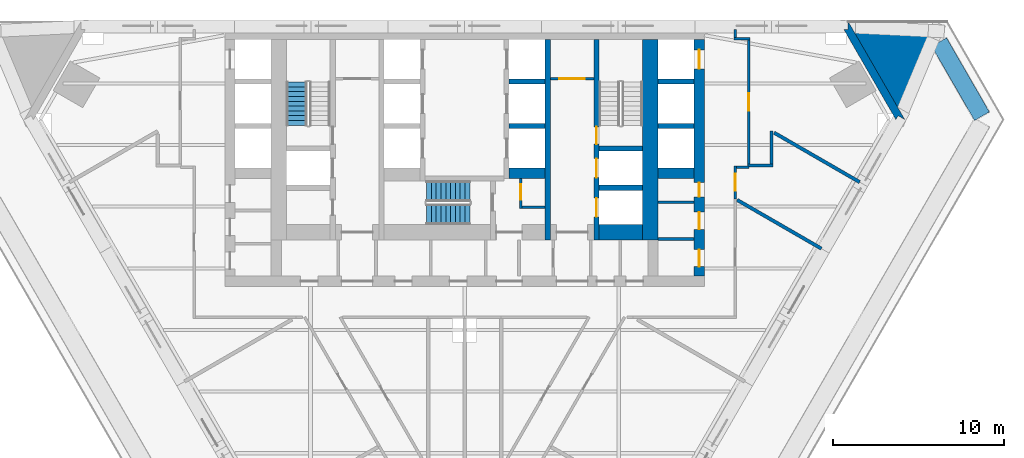
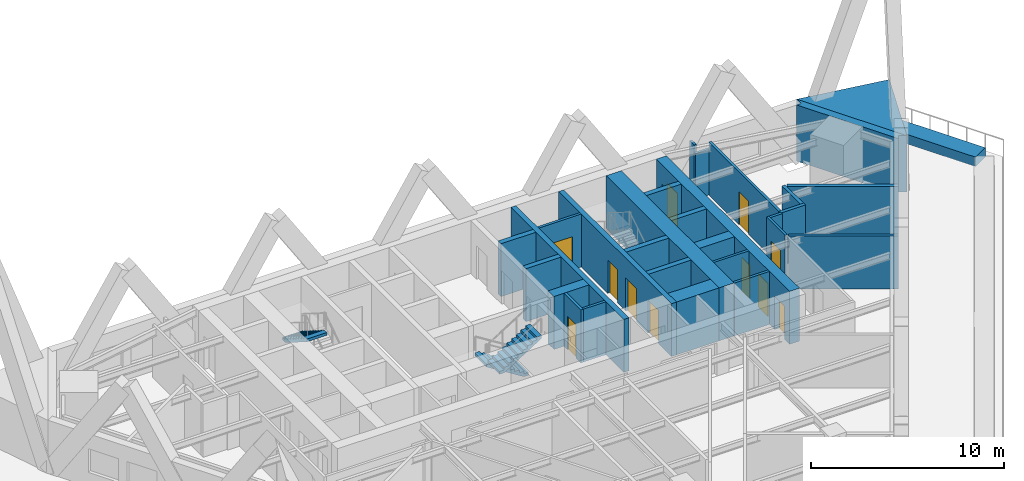
# One storey, part 7 of 11: 30 walls, 11 doors, 3 stair flights, 11 openings, 2 elements without a shape of their own.
"""IFC4 building model written with IfcOpenShell, lengths in metres."""

import ifcopenshell
import ifcopenshell.guid

model = None  # the IFC model being written
_history = None  # IfcOwnerHistory: only IFC2X3 demands one
_inside = {}  # id of a spatial element -> (the spatial element, [elements in it])
_under = {}  # id of a project, library or spatial element -> (it, [spatial elements below it])
_declared = {}  # id of a project -> (the project, [libraries it declares])
_typed = {}  # id of a type object -> (the type object, [elements of that type])
_made_of = {}  # id of a material, layer set ... -> (it, [elements and type objects made of it])


def new_model(schema):
    """Start an empty IFC model of exactly this schema.

    Asked for "IFC4X3", IfcOpenShell would pick the latest addendum, in which some entities
    have other attributes; the version numbers below select the first issue.
    IFC2X3 requires an IfcOwnerHistory on every rooted entity: one is made here for all.
    """
    global model, _history
    if schema == "IFC4X3":
        model = ifcopenshell.file(schema_version=(4, 3, 0, 0))
    else:
        model = ifcopenshell.file(schema=schema)
    _inside.clear()
    _under.clear()
    _declared.clear()
    _typed.clear()
    _made_of.clear()
    _history = None
    if model.schema == "IFC2X3":
        org = make("IfcOrganization", Name="unknown")
        user = make(
            "IfcPersonAndOrganization",
            ThePerson=make("IfcPerson", FamilyName="unknown"),
            TheOrganization=org,
        )
        app = make(
            "IfcApplication",
            ApplicationDeveloper=org,
            Version="unknown",
            ApplicationFullName="unknown",
            ApplicationIdentifier="unknown",
        )
        _history = make(
            "IfcOwnerHistory",
            OwningUser=user,
            OwningApplication=app,
            ChangeAction="ADDED",
            CreationDate=0,
        )
    return model


def make(cls, **values):
    """One entity of the class cls with the attributes given. An attribute that is None is left unset."""
    return model.create_entity(
        cls, **{name: value for name, value in values.items() if value is not None}
    )


def rooted(cls, **values):
    """An entity with a GlobalId (a new one), such as an element, a storey or a relation."""
    return make(cls, GlobalId=ifcopenshell.guid.new(), OwnerHistory=_history, **values)


def si_unit(unit_type, name, prefix=None):
    """IfcSIUnit, for example si_unit("LENGTHUNIT", "METRE", prefix="MILLI")."""
    return make("IfcSIUnit", UnitType=unit_type, Prefix=prefix, Name=name)


def assignment(units):
    """IfcUnitAssignment: the units of a project."""
    return None if units is None else make("IfcUnitAssignment", Units=units)


def point(xyz):
    """IfcCartesianPoint."""
    return None if xyz is None else make("IfcCartesianPoint", Coordinates=xyz)


def direction(xyz):
    """IfcDirection."""
    return None if xyz is None else make("IfcDirection", DirectionRatios=xyz)


def frame(location, z_axis=None, x_axis=None):
    """IfcAxis2Placement3D, a coordinate frame: its origin and axes. An axis left out is left unset."""
    return make(
        "IfcAxis2Placement3D",
        Location=point(location),
        Axis=direction(z_axis),
        RefDirection=direction(x_axis),
    )


def frame_2d(location, x_axis=None):
    """IfcAxis2Placement2D, a coordinate frame in the plane: its origin and x axis."""
    return make(
        "IfcAxis2Placement2D", Location=point(location), RefDirection=direction(x_axis)
    )


def origin():
    """The frame at (0, 0, 0) with its axes left unset."""
    return frame((0.0, 0.0, 0.0))


def place(relative_to, where):
    """IfcLocalPlacement: puts the frame where relative to a parent placement (None: the world)."""
    return make(
        "IfcLocalPlacement", PlacementRelTo=relative_to, RelativePlacement=where
    )


def context(
    kind, dimensions, precision=None, world=None, true_north=None, identifier=None
):
    """IfcGeometricRepresentationContext, for example the 3D "Model" context."""
    return make(
        "IfcGeometricRepresentationContext",
        ContextIdentifier=identifier,
        ContextType=kind,
        CoordinateSpaceDimension=dimensions,
        Precision=precision,
        WorldCoordinateSystem=world,
        TrueNorth=true_north,
    )


def subcontext(parent, identifier, kind, view, scale=None):
    """IfcGeometricRepresentationSubContext, for example "Body" below "Model"."""
    return make(
        "IfcGeometricRepresentationSubContext",
        ContextIdentifier=identifier,
        ContextType=kind,
        ParentContext=parent,
        TargetScale=scale,
        TargetView=view,
    )


def project(units=None, contexts=None):
    """IfcProject with its units and contexts."""
    return rooted(
        "IfcProject",
        Name="project",
        RepresentationContexts=contexts,
        UnitsInContext=assignment(units),
    )


def spatial(cls, under=None, at=None, **own):
    """A site, building, storey or space (cls), placed at a placement, below another one or the project."""
    s = rooted(cls, ObjectPlacement=at, **own)
    if under is not None:
        _under.setdefault(under.id(), (under, []))[1].append(s)
    return s


def polyline(points):
    """IfcPolyline through the points."""
    return make("IfcPolyline", Points=[point(p) for p in points])


def profile(cls, at=None, kind="AREA", **sizes):
    """A parametric profile (cls). Its sizes go by their IFC names, for example OverallWidth=200.0."""
    return make(cls, ProfileType=kind, Position=at, **sizes)


def rectangle(**sizes):
    """IfcRectangleProfileDef."""
    return profile("IfcRectangleProfileDef", **sizes)


def outline(outer, holes=None, kind="AREA"):
    """IfcArbitraryClosedProfileDef: a profile drawn as a closed curve; with holes, ...WithVoids."""
    if holes is None:
        return make("IfcArbitraryClosedProfileDef", ProfileType=kind, OuterCurve=outer)
    return make(
        "IfcArbitraryProfileDefWithVoids",
        ProfileType=kind,
        OuterCurve=outer,
        InnerCurves=holes,
    )


def extrude(swept, where, along, depth):
    """IfcExtrudedAreaSolid: the profile swept, set in the frame where, extruded along a direction by depth."""
    return make(
        "IfcExtrudedAreaSolid",
        SweptArea=swept,
        Position=where,
        ExtrudedDirection=direction(along),
        Depth=depth,
    )


def shape(context_of_items, identifier, shape_type, items):
    """IfcShapeRepresentation: the items that make up one representation, for example the "Body"."""
    return make(
        "IfcShapeRepresentation",
        ContextOfItems=context_of_items,
        RepresentationIdentifier=identifier,
        RepresentationType=shape_type,
        Items=items,
    )


def material(Name=None, Category=None):
    """IfcMaterial."""
    return make("IfcMaterial", Name=Name, Category=Category)


def layer(
    of_material, thickness, ventilated=None, Name=None, Category=None, Priority=None
):
    """IfcMaterialLayer: one layer of a wall or slab, of a material (None: an air gap)."""
    return make(
        "IfcMaterialLayer",
        Material=of_material,
        LayerThickness=thickness,
        IsVentilated=ventilated,
        Name=Name,
        Category=Category,
        Priority=Priority,
    )


def layer_set(layers, Name=None):
    """IfcMaterialLayerSet."""
    return make("IfcMaterialLayerSet", MaterialLayers=layers, LayerSetName=Name)


def made_of(thing, what):
    """Note that an element or type object is made of a material, layer set ...; save() writes the relation."""
    if what is not None:
        _made_of.setdefault(what.id(), (what, []))[1].append(thing)
    return thing


def type_object(cls, material=None, **own):
    """A type object (cls), such as IfcWallType, which elements share."""
    return made_of(rooted(cls, **own), material)


def element(
    cls,
    number,
    at=None,
    inside=None,
    cuts=None,
    type_object=None,
    material=None,
    context=None,
    identifier="Body",
    shape_type=None,
    held_by="IfcProductDefinitionShape",
    body=None,
    shapes=None,
    **own,
):
    """One element of the class cls, such as IfcWall. Its Tag is "e" and its number.

    at: its placement. inside: the storey or other place that contains it. cuts: it is an
    opening in that element (IfcRelVoidsElement). A single representation is given by context,
    identifier, shape_type and body (its items); several are given by shapes. held_by: the class
    of the entity that holds the representations. save() writes the other relations.
    """
    e = rooted(cls, Tag="e%d" % number, ObjectPlacement=at, **own)
    if body is not None:
        shapes = [shape(context, identifier, shape_type, body)]
    if shapes is not None:
        e.Representation = make(held_by, Representations=shapes)
    if inside is not None:
        _inside.setdefault(inside.id(), (inside, []))[1].append(e)
    if cuts is not None:
        rooted(
            "IfcRelVoidsElement", RelatingBuildingElement=cuts, RelatedOpeningElement=e
        )
    if type_object is not None:
        _typed.setdefault(type_object.id(), (type_object, []))[1].append(e)
    return made_of(e, material)


def fill(opening, filler):
    """IfcRelFillsElement: the door or window that sits in an opening."""
    return rooted(
        "IfcRelFillsElement",
        RelatingOpeningElement=opening,
        RelatedBuildingElement=filler,
    )


def aggregate(whole, parts):
    """IfcRelAggregates: a whole, such as a stair, and the parts it consists of."""
    return rooted("IfcRelAggregates", RelatingObject=whole, RelatedObjects=parts)


def save(model, path):
    """Write the relations noted so far, then the file.

    IfcRelAggregates (storeys below a building ...), IfcRelContainedInSpatialStructure (elements
    in a storey), IfcRelDefinesByType, IfcRelAssociatesMaterial and IfcRelDeclares: one each for
    every whole, place, type object, material and project.
    """
    for whole, parts in _under.values():
        aggregate(whole, parts)
    for where, things in _inside.values():
        rooted(
            "IfcRelContainedInSpatialStructure",
            RelatedElements=things,
            RelatingStructure=where,
        )
    for kind, things in _typed.values():
        rooted("IfcRelDefinesByType", RelatedObjects=things, RelatingType=kind)
    for what, things in _made_of.values():
        rooted("IfcRelAssociatesMaterial", RelatedObjects=things, RelatingMaterial=what)
    for by, libraries in _declared.values():
        rooted("IfcRelDeclares", RelatingContext=by, RelatedDefinitions=libraries)
    model.write(path)


model = new_model("IFC4")

# Units and contexts
model_context = context("Model", 3, precision=1e-05, world=origin(), true_north=direction((0.0, 1.0)))
body_context = subcontext(model_context, "Body", "Model", "MODEL_VIEW")
ifc_project = project(units=[si_unit("LENGTHUNIT", "METRE"), si_unit("AREAUNIT", "SQUARE_METRE"), si_unit("VOLUMEUNIT", "CUBIC_METRE"), si_unit("PLANEANGLEUNIT", "RADIAN"), si_unit("MASSUNIT", "GRAM", prefix="KILO")], contexts=[model_context])

# Site, building, storey
site_placement = place(None, origin())
site = spatial("IfcSite", under=ifc_project, at=site_placement, CompositionType="ELEMENT")
building_placement = place(site_placement, origin())
building = spatial("IfcBuilding", under=site, at=building_placement, Name="Aloe Facet Convention Tower", CompositionType="ELEMENT")
storey_placement = place(building_placement, frame((0.0, 0.0, 35.0)))
storey = spatial("IfcBuildingStorey", under=building, at=storey_placement, Name="L06", CompositionType="ELEMENT", Elevation=35.0)

# Wall, opening, door
ifc_material_1 = material(Name="Concrete blockwork partition", Category="masonry")
ifc_layer_1 = layer(ifc_material_1, 0.14990234375)
ifc_layer_set_1 = layer_set([ifc_layer_1], Name="CR-W-PART150")
wall_type_1 = type_object("IfcWallType", Name="CR-W-PART150", PredefinedType="PARTITIONING", material=ifc_layer_set_1)
wall_1_placement = place(storey_placement, frame((83.27490234375, 125.85009765625, 0.0), z_axis=(0.0, 0.0, 1.0), x_axis=(0.0, -1.0, 0.0)))
wall_1 = element("IfcWall", 1, at=wall_1_placement, inside=storey, type_object=wall_type_1, Name="Core partition L06-035", PredefinedType="PARTITIONING", context=body_context, shape_type="SweptSolid", body=[
    extrude(rectangle(XDim=1.75, YDim=0.14990234375, at=frame_2d((0.875, 0.0))), origin(), (0.0, 0.0, 1.0), 3.35009765625),
])
opening_1_placement = place(wall_1_placement, frame((0.35009765625, 0.0, 0.0)))
opening_1 = element("IfcOpeningElement", 2, at=opening_1_placement, cuts=wall_1, Name="Opening L06-CD20", PredefinedType="OPENING", context=body_context, shape_type="SweptSolid", body=[
    extrude(rectangle(XDim=0.89990234375, YDim=2.10009765625, at=frame_2d((0.449951171875, 1.050048828125))), frame((0.0, 0.0849609375, 0.0), z_axis=(0.0, -1.0, 0.0), x_axis=(1.0, 0.0, 0.0)), (0.0, 0.0, 1.0), 0.169921875),
])
ifc_material_2 = material(Name="Steel fire-resisting door set FD60", Category="steel")
door_type_1 = type_object("IfcDoorType", Name="CR-D-REFUGE-900-FD60-SRIGHT", OperationType="SINGLE_SWING_RIGHT", PredefinedType="DOOR", material=ifc_material_2)
door_1_placement = place(opening_1_placement, origin())
door_1 = element("IfcDoor", 3, at=door_1_placement, inside=storey, type_object=door_type_1, Name="Core door L06-CD20", OperationType="SINGLE_SWING_RIGHT", OverallHeight=2.10009765625, OverallWidth=0.89990234375, PredefinedType="DOOR", context=body_context, shape_type="SweptSolid", body=[
    extrude(rectangle(XDim=0.89990234375, YDim=2.10009765625, at=frame_2d((0.449951171875, 1.050048828125))), frame((0.0, 0.02490234375, 0.0), z_axis=(0.0, -1.0, 0.0), x_axis=(1.0, 0.0, 0.0)), (0.0, 0.0, 1.0), 0.050048828125),
])
fill(opening_1, door_1)

# Wall
wall_2_placement = place(storey_placement, frame((83.35009765625, 124.175048828125, 0.0), z_axis=(0.0, 0.0, 1.0), x_axis=(1.0, 0.0, 0.0)))
element("IfcWall", 4, at=wall_2_placement, inside=storey, type_object=wall_type_1, Name="Core partition L06-036", PredefinedType="PARTITIONING", context=body_context, shape_type="SweptSolid", body=[
    extrude(rectangle(XDim=1.349853515625, YDim=0.14990234375, at=frame_2d((0.6748046875, 0.0))), origin(), (0.0, 0.0, 1.0), 3.35009765625),
])

# Wall, opening, door
wall_3_placement = place(storey_placement, frame((85.0, 131.675048828125, 0.0), z_axis=(0.0, 0.0, 1.0), x_axis=(1.0, 0.0, 0.0)))
wall_3 = element("IfcWall", 5, at=wall_3_placement, inside=storey, type_object=wall_type_1, Name="Core partition L06-038", PredefinedType="PARTITIONING", context=body_context, shape_type="SweptSolid", body=[
    extrude(rectangle(XDim=2.550048828125, YDim=0.14990234375, at=frame_2d((1.27490234375, 0.0))), origin(), (0.0, 0.0, 1.0), 3.35009765625),
])
opening_2_placement = place(wall_3_placement, frame((0.52490234375, 0.0, 0.0)))
opening_2 = element("IfcOpeningElement", 6, at=opening_2_placement, cuts=wall_3, Name="Opening L06-CD21", PredefinedType="OPENING", context=body_context, shape_type="SweptSolid", body=[
    extrude(rectangle(XDim=1.5, YDim=2.10009765625, at=frame_2d((0.75, 1.050048828125))), frame((0.0, 0.0849609375, 0.0), z_axis=(0.0, -1.0, 0.0), x_axis=(1.0, 0.0, 0.0)), (0.0, 0.0, 1.0), 0.169921875),
])
ifc_material_3 = material(Name="Steel fire-resisting door set FD60", Category="steel")
door_type_2 = type_object("IfcDoorType", Name="CR-D-REFUGE-1500-FD60-DD", OperationType="DOUBLE_DOOR_DOUBLE_SWING", PredefinedType="DOOR", material=ifc_material_3)
door_2_placement = place(opening_2_placement, origin())
door_2 = element("IfcDoor", 7, at=door_2_placement, inside=storey, type_object=door_type_2, Name="Core door L06-CD21", OperationType="DOUBLE_DOOR_DOUBLE_SWING", OverallHeight=2.10009765625, OverallWidth=1.5, PredefinedType="DOOR", context=body_context, shape_type="SweptSolid", body=[
    extrude(rectangle(XDim=1.5, YDim=2.10009765625, at=frame_2d((0.75, 1.050048828125))), frame((0.0, 0.02490234375, 0.0), z_axis=(0.0, -1.0, 0.0), x_axis=(1.0, 0.0, 0.0)), (0.0, 0.0, 1.0), 0.050048828125),
])
fill(opening_2, door_2)

# Walls
for number, where, z_axis, x_axis, name in (
    (8, (91.300048828125, 124.44873046875, 0.0), (0.0, 0.0, 1.0), (1.0, 0.0, 0.0), "Core partition L06-052"),
    (9, (91.300048828125, 122.309326171875, 0.0), (0.0, 0.0, 1.0), (1.0, 0.0, 0.0), "Core partition L06-053"),
):
    element("IfcWall", number, at=place(storey_placement, frame(where, z_axis=z_axis, x_axis=x_axis)), inside=storey, type_object=wall_type_1, Name=name, PredefinedType="PARTITIONING", context=body_context, shape_type="SweptSolid", body=[
        extrude(rectangle(XDim=2.099853515625, YDim=0.14990234375, at=frame_2d((1.0498046875, 0.0))), origin(), (0.0, 0.0, 1.0), 3.35009765625),
    ])
ifc_material_4 = material(Name="Concrete C80/95", Category="concrete")
ifc_layer_2 = layer(ifc_material_4, 0.300048828125)
ifc_layer_set_2 = layer_set([ifc_layer_2], Name="CR-W-RC300-C8095")
wall_type_2 = type_object("IfcWallType", Name="CR-W-RC300-C8095", PredefinedType="SOLIDWALL", material=ifc_layer_set_2)
for number, where, z_axis, x_axis, name in (
    (10, (82.60009765625, 131.5, 0.0), (0.0, 0.0, 1.0), (1.0, 0.0, 0.0), "Core wall L06-031"),
    (11, (82.60009765625, 128.89990234375, 0.0), (0.0, 0.0, 1.0), (1.0, 0.0, 0.0), "Core wall L06-032"),
):
    element("IfcWall", number, at=place(storey_placement, frame(where, z_axis=z_axis, x_axis=x_axis)), inside=storey, type_object=wall_type_2, Name=name, PredefinedType="SOLIDWALL", context=body_context, shape_type="SweptSolid", body=[
        extrude(rectangle(XDim=2.099853515625, YDim=0.300048828125, at=frame_2d((1.0498046875, 0.0))), origin(), (0.0, 0.0, 1.0), 3.35009765625),
    ])
wall_4_placement = place(storey_placement, frame((84.85009765625, 133.949951171875, 0.0), z_axis=(0.0, 0.0, 1.0), x_axis=(0.0, -1.0, 0.0)))
element("IfcWall", 12, at=wall_4_placement, inside=storey, type_object=wall_type_2, Name="Core wall L06-037", PredefinedType="SOLIDWALL", context=body_context, shape_type="SweptSolid", body=[
    extrude(rectangle(XDim=11.699951171875, YDim=0.300048828125, at=frame_2d((5.85009765625, 0.0))), origin(), (0.0, 0.0, 1.0), 3.35009765625),
])

# Wall, openings, doors
wall_5_placement = place(storey_placement, frame((87.699951171875, 133.949951171875, 0.0), z_axis=(0.0, 0.0, 1.0), x_axis=(0.0, -1.0, 0.0)))
wall_5 = element("IfcWall", 13, at=wall_5_placement, inside=storey, type_object=wall_type_2, Name="Core wall L06-042", PredefinedType="SOLIDWALL", context=body_context, shape_type="SweptSolid", body=[
    extrude(rectangle(XDim=11.699951171875, YDim=0.300048828125, at=frame_2d((5.85009765625, 0.0))), origin(), (0.0, 0.0, 1.0), 3.35009765625),
])
opening_3_placement = place(wall_5_placement, frame((6.949951171875, 0.0, 0.0)))
opening_3 = element("IfcOpeningElement", 14, at=opening_3_placement, cuts=wall_5, Name="Opening LD-FF2-L06", PredefinedType="OPENING", context=body_context, shape_type="SweptSolid", body=[
    extrude(rectangle(XDim=1.10009765625, YDim=2.10009765625, at=frame_2d((0.550048828125, 1.050048828125))), frame((0.0, 0.16015625, 0.0), z_axis=(0.0, -1.0, 0.0), x_axis=(1.0, 0.0, 0.0)), (0.0, 0.0, 1.0), 0.320068359375),
])
opening_4_placement = place(wall_5_placement, frame((5.10009765625, 0.0, 0.0)))
opening_4 = element("IfcOpeningElement", 15, at=opening_4_placement, cuts=wall_5, Name="Opening L06-CD31", PredefinedType="OPENING", context=body_context, shape_type="SweptSolid", body=[
    extrude(rectangle(XDim=1.0, YDim=2.10009765625, at=frame_2d((0.5, 1.050048828125))), frame((0.0, 0.16015625, 0.0), z_axis=(0.0, -1.0, 0.0), x_axis=(1.0, 0.0, 0.0)), (0.0, 0.0, 1.0), 0.320068359375),
])
opening_5_placement = place(wall_5_placement, frame((9.25, 0.0, 0.0)))
opening_5 = element("IfcOpeningElement", 16, at=opening_5_placement, cuts=wall_5, Name="Opening LD-SV1-L06", PredefinedType="OPENING", context=body_context, shape_type="SweptSolid", body=[
    extrude(rectangle(XDim=1.10009765625, YDim=2.10009765625, at=frame_2d((0.550048828125, 1.050048828125))), frame((0.0, 0.16015625, 0.0), z_axis=(0.0, -1.0, 0.0), x_axis=(1.0, 0.0, 0.0)), (0.0, 0.0, 1.0), 0.320068359375),
])
ifc_material_5 = material(Name="Steel fire-resisting door set FD120", Category="steel")
door_type_3 = type_object("IfcDoorType", Name="CR-D-STAIR-1000-FD120-SLEFT", OperationType="SINGLE_SWING_LEFT", PredefinedType="DOOR", material=ifc_material_5)
door_3_placement = place(opening_4_placement, origin())
door_3 = element("IfcDoor", 17, at=door_3_placement, inside=storey, type_object=door_type_3, Name="Core door L06-CD31", OperationType="SINGLE_SWING_LEFT", OverallHeight=2.10009765625, OverallWidth=1.0, PredefinedType="DOOR", context=body_context, shape_type="SweptSolid", body=[
    extrude(rectangle(XDim=1.0, YDim=2.10009765625, at=frame_2d((0.5, 1.050048828125))), frame((0.0, 0.02490234375, 0.0), z_axis=(0.0, -1.0, 0.0), x_axis=(1.0, 0.0, 0.0)), (0.0, 0.0, 1.0), 0.050048828125),
])
fill(opening_4, door_3)
ifc_material_6 = material(Name="Stainless steel sliding landing door", Category="steel")
door_type_4 = type_object("IfcDoorType", Name="CR-LD-1100-FD120-_LEFT", OperationType="SLIDING_TO_LEFT", PredefinedType="DOOR", material=ifc_material_6)
door_4_placement = place(opening_3_placement, origin())
door_4 = element("IfcDoor", 18, at=door_4_placement, inside=storey, type_object=door_type_4, Name="Landing door FF2 L06", OperationType="SLIDING_TO_LEFT", OverallHeight=2.10009765625, OverallWidth=1.10009765625, PredefinedType="DOOR", context=body_context, shape_type="SweptSolid", body=[
    extrude(rectangle(XDim=1.10009765625, YDim=2.10009765625, at=frame_2d((0.550048828125, 1.050048828125))), frame((0.0, 0.02490234375, 0.0), z_axis=(0.0, -1.0, 0.0), x_axis=(1.0, 0.0, 0.0)), (0.0, 0.0, 1.0), 0.050048828125),
])
fill(opening_3, door_4)
door_5_placement = place(opening_5_placement, origin())
door_5 = element("IfcDoor", 19, at=door_5_placement, inside=storey, type_object=door_type_4, Name="Landing door SV1 L06", OperationType="SLIDING_TO_LEFT", OverallHeight=2.10009765625, OverallWidth=1.10009765625, PredefinedType="DOOR", context=body_context, shape_type="SweptSolid", body=[
    extrude(rectangle(XDim=1.10009765625, YDim=2.10009765625, at=frame_2d((0.550048828125, 1.050048828125))), frame((0.0, 0.02490234375, 0.0), z_axis=(0.0, -1.0, 0.0), x_axis=(1.0, 0.0, 0.0)), (0.0, 0.0, 1.0), 0.050048828125),
])
fill(opening_5, door_5)

# Walls
for number, where, z_axis, x_axis, name in (
    (20, (87.85009765625, 127.60009765625, 0.0), (0.0, 0.0, 1.0), (1.0, 0.0, 0.0), "Core wall L06-043"),
    (21, (87.85009765625, 125.300048828125, 0.0), (0.0, 0.0, 1.0), (1.0, 0.0, 0.0), "Core wall L06-044"),
):
    element("IfcWall", number, at=place(storey_placement, frame(where, z_axis=z_axis, x_axis=x_axis)), inside=storey, type_object=wall_type_2, Name=name, PredefinedType="SOLIDWALL", context=body_context, shape_type="SweptSolid", body=[
        extrude(rectangle(XDim=2.5498046875, YDim=0.300048828125, at=frame_2d((1.27490234375, 0.0))), origin(), (0.0, 0.0, 1.0), 3.35009765625),
    ])
for number, where, z_axis, x_axis, name in (
    (22, (91.300048828125, 131.5, 0.0), (0.0, 0.0, 1.0), (1.0, 0.0, 0.0), "Core wall L06-049"),
    (23, (91.300048828125, 128.89990234375, 0.0), (0.0, 0.0, 1.0), (1.0, 0.0, 0.0), "Core wall L06-050"),
):
    element("IfcWall", number, at=place(storey_placement, frame(where, z_axis=z_axis, x_axis=x_axis)), inside=storey, type_object=wall_type_2, Name=name, PredefinedType="SOLIDWALL", context=body_context, shape_type="SweptSolid", body=[
        extrude(rectangle(XDim=2.099853515625, YDim=0.300048828125, at=frame_2d((1.0498046875, 0.0))), origin(), (0.0, 0.0, 1.0), 3.35009765625),
    ])
ifc_material_7 = material(Name="Concrete C80/95", Category="concrete")
ifc_layer_3 = layer(ifc_material_7, 0.60009765625)
ifc_layer_set_3 = layer_set([ifc_layer_3], Name="CR-W-RC600-C8095")
wall_type_3 = type_object("IfcWallType", Name="CR-W-RC600-C8095", PredefinedType="SOLIDWALL", material=ifc_layer_set_3)
for number, where, z_axis, x_axis, name in (
    (24, (82.60009765625, 126.14990234375, 0.0), (0.0, 0.0, 1.0), (1.0, 0.0, 0.0), "Core wall L06-033"),
    (25, (91.300048828125, 126.14990234375, 0.0), (0.0, 0.0, 1.0), (1.0, 0.0, 0.0), "Core wall L06-051"),
):
    element("IfcWall", number, at=place(storey_placement, frame(where, z_axis=z_axis, x_axis=x_axis)), inside=storey, type_object=wall_type_3, Name=name, PredefinedType="SOLIDWALL", context=body_context, shape_type="SweptSolid", body=[
        extrude(rectangle(XDim=2.099853515625, YDim=0.60009765625, at=frame_2d((1.0498046875, 0.0))), origin(), (0.0, 0.0, 1.0), 3.35009765625),
    ])

# Wall, openings, doors
wall_6_placement = place(storey_placement, frame((93.699951171875, 133.949951171875, 0.0), z_axis=(0.0, 0.0, 1.0), x_axis=(0.0, -1.0, 0.0)))
wall_6 = element("IfcWall", 26, at=wall_6_placement, inside=storey, type_object=wall_type_3, Name="Core wall L06-054", PredefinedType="SOLIDWALL", context=body_context, shape_type="SweptSolid", body=[
    extrude(rectangle(XDim=13.800048828125, YDim=0.60009765625, at=frame_2d((6.89990234375, 0.0))), origin(), (0.0, 0.0, 1.0), 3.35009765625),
])
opening_6_placement = place(wall_6_placement, frame((0.60009765625, 0.0, 0.0)))
opening_6 = element("IfcOpeningElement", 27, at=opening_6_placement, cuts=wall_6, Name="Opening LD-A8-L06", PredefinedType="OPENING", context=body_context, shape_type="SweptSolid", body=[
    extrude(rectangle(XDim=1.10009765625, YDim=2.10009765625, at=frame_2d((0.550048828125, 1.050048828125))), frame((0.0, 0.31005859375, 0.0), z_axis=(0.0, -1.0, 0.0), x_axis=(1.0, 0.0, 0.0)), (0.0, 0.0, 1.0), 0.6201171875),
])
opening_7_placement = place(wall_6_placement, frame((8.35009765625, 0.0, 0.0)))
opening_7 = element("IfcOpeningElement", 28, at=opening_7_placement, cuts=wall_6, Name="Opening L06-CD09", PredefinedType="OPENING", context=body_context, shape_type="SweptSolid", body=[
    extrude(rectangle(XDim=0.826416015625, YDim=2.10009765625, at=frame_2d((0.4130859375, 1.050048828125))), frame((0.0, 0.31005859375, 0.0), z_axis=(0.0, -1.0, 0.0), x_axis=(1.0, 0.0, 0.0)), (0.0, 0.0, 1.0), 0.6201171875),
])
opening_8_placement = place(wall_6_placement, frame((10.071044921875, 0.0, 0.0)))
opening_8 = element("IfcOpeningElement", 29, at=opening_8_placement, cuts=wall_6, Name="Opening L06-CD10", PredefinedType="OPENING", context=body_context, shape_type="SweptSolid", body=[
    extrude(rectangle(XDim=1.0, YDim=2.10009765625, at=frame_2d((0.5, 1.050048828125))), frame((0.0, 0.31005859375, 0.0), z_axis=(0.0, -1.0, 0.0), x_axis=(1.0, 0.0, 0.0)), (0.0, 0.0, 1.0), 0.6201171875),
])
opening_9_placement = place(wall_6_placement, frame((12.2578125, 0.0, 0.0)))
opening_9 = element("IfcOpeningElement", 30, at=opening_9_placement, cuts=wall_6, Name="Opening L06-CD11", PredefinedType="OPENING", context=body_context, shape_type="SweptSolid", body=[
    extrude(rectangle(XDim=1.0, YDim=2.10009765625, at=frame_2d((0.5, 1.050048828125))), frame((0.0, 0.31005859375, 0.0), z_axis=(0.0, -1.0, 0.0), x_axis=(1.0, 0.0, 0.0)), (0.0, 0.0, 1.0), 0.6201171875),
])
ifc_material_8 = material(Name="Steel fire-resisting door set FD60", Category="steel")
door_type_5 = type_object("IfcDoorType", Name="CR-D-ROOM-1000-FD60-SLEFT", OperationType="SINGLE_SWING_LEFT", PredefinedType="DOOR", material=ifc_material_8)
door_6_placement = place(opening_8_placement, origin())
door_6 = element("IfcDoor", 31, at=door_6_placement, inside=storey, type_object=door_type_5, Name="Core door L06-CD10", OperationType="SINGLE_SWING_LEFT", OverallHeight=2.10009765625, OverallWidth=1.0, PredefinedType="DOOR", context=body_context, shape_type="SweptSolid", body=[
    extrude(rectangle(XDim=1.0, YDim=2.10009765625, at=frame_2d((0.5, 1.050048828125))), frame((0.0, 0.02490234375, 0.0), z_axis=(0.0, -1.0, 0.0), x_axis=(1.0, 0.0, 0.0)), (0.0, 0.0, 1.0), 0.050048828125),
])
fill(opening_8, door_6)
door_7_placement = place(opening_9_placement, origin())
door_7 = element("IfcDoor", 32, at=door_7_placement, inside=storey, type_object=door_type_5, Name="Core door L06-CD11", OperationType="SINGLE_SWING_LEFT", OverallHeight=2.10009765625, OverallWidth=1.0, PredefinedType="DOOR", context=body_context, shape_type="SweptSolid", body=[
    extrude(rectangle(XDim=1.0, YDim=2.10009765625, at=frame_2d((0.5, 1.050048828125))), frame((0.0, 0.02490234375, 0.0), z_axis=(0.0, -1.0, 0.0), x_axis=(1.0, 0.0, 0.0)), (0.0, 0.0, 1.0), 0.050048828125),
])
fill(opening_9, door_7)
ifc_material_9 = material(Name="Steel fire-resisting door set FD60", Category="steel")
door_type_6 = type_object("IfcDoorType", Name="CR-D-ROOM-826-FD60-SLEFT", OperationType="SINGLE_SWING_LEFT", PredefinedType="DOOR", material=ifc_material_9)
door_8_placement = place(opening_7_placement, origin())
door_8 = element("IfcDoor", 33, at=door_8_placement, inside=storey, type_object=door_type_6, Name="Core door L06-CD09", OperationType="SINGLE_SWING_LEFT", OverallHeight=2.10009765625, OverallWidth=0.826416015625, PredefinedType="DOOR", context=body_context, shape_type="SweptSolid", body=[
    extrude(rectangle(XDim=0.826416015625, YDim=2.10009765625, at=frame_2d((0.4130859375, 1.050048828125))), frame((0.0, 0.02490234375, 0.0), z_axis=(0.0, -1.0, 0.0), x_axis=(1.0, 0.0, 0.0)), (0.0, 0.0, 1.0), 0.050048828125),
])
fill(opening_7, door_8)
ifc_material_10 = material(Name="Stainless steel sliding landing door", Category="steel")
door_type_7 = type_object("IfcDoorType", Name="CR-LD-1100-FD60-_LEFT", OperationType="SLIDING_TO_LEFT", PredefinedType="DOOR", material=ifc_material_10)
door_9_placement = place(opening_6_placement, origin())
door_9 = element("IfcDoor", 34, at=door_9_placement, inside=storey, type_object=door_type_7, Name="Landing door A8 L06", OperationType="SLIDING_TO_LEFT", OverallHeight=2.10009765625, OverallWidth=1.10009765625, PredefinedType="DOOR", context=body_context, shape_type="SweptSolid", body=[
    extrude(rectangle(XDim=1.10009765625, YDim=2.10009765625, at=frame_2d((0.550048828125, 1.050048828125))), frame((0.0, 0.02490234375, 0.0), z_axis=(0.0, -1.0, 0.0), x_axis=(1.0, 0.0, 0.0)), (0.0, 0.0, 1.0), 0.050048828125),
])
fill(opening_6, door_9)

# Walls
ifc_material_11 = material(Name="Concrete C80/95", Category="concrete")
ifc_layer_4 = layer(ifc_material_11, 0.89990234375)
ifc_layer_set_4 = layer_set([ifc_layer_4], Name="CR-W-RC900-C8095")
wall_type_4 = type_object("IfcWallType", Name="CR-W-RC900-C8095", PredefinedType="SOLIDWALL", material=ifc_layer_set_4)
wall_7_placement = place(storey_placement, frame((87.85009765625, 122.699951171875, 0.0), z_axis=(0.0, 0.0, 1.0), x_axis=(1.0, 0.0, 0.0)))
element("IfcWall", 35, at=wall_7_placement, inside=storey, type_object=wall_type_4, Name="Core wall L06-045", PredefinedType="SOLIDWALL", context=body_context, shape_type="SweptSolid", body=[
    extrude(rectangle(XDim=2.5498046875, YDim=0.89990234375, at=frame_2d((1.27490234375, 0.0))), origin(), (0.0, 0.0, 1.0), 3.35009765625),
])
wall_8_placement = place(storey_placement, frame((90.85009765625, 133.949951171875, 0.0), z_axis=(0.0, 0.0, 1.0), x_axis=(0.0, -1.0, 0.0)))
element("IfcWall", 36, at=wall_8_placement, inside=storey, type_object=wall_type_4, Name="Core wall L06-047", PredefinedType="SOLIDWALL", context=body_context, shape_type="SweptSolid", body=[
    extrude(rectangle(XDim=11.699951171875, YDim=0.89990234375, at=frame_2d((5.85009765625, 0.0))), origin(), (0.0, 0.0, 1.0), 3.35009765625),
])
ifc_material_12 = material(Name="Precast concrete C40/50", Category="concrete")
ifc_layer_5 = layer(ifc_material_12, 1.0)
ifc_layer_set_5 = layer_set([ifc_layer_5], Name="EV-PLANTER-BED")
wall_type_5 = type_object("IfcWallType", Name="EV-PLANTER-BED", PredefinedType="STANDARD", material=ifc_layer_set_5)
wall_9_placement = place(storey_placement, frame((107.70751953125, 133.80712890625, 0.0), z_axis=(0.0, 0.0, 1.0), x_axis=(0.500004234368, -0.866022959057, 0.0)))
element("IfcWall", 37, at=wall_9_placement, inside=storey, type_object=wall_type_5, Name="PLANTER PT-L06-1-1", PredefinedType="STANDARD", context=body_context, shape_type="SweptSolid", body=[
    extrude(rectangle(XDim=5.0, YDim=1.0, at=frame_2d((2.5, 0.0))), origin(), (0.0, 0.0, 1.0), 0.60009765625),
])
ifc_material_13 = material(Name="Precast concrete C40/50", Category="concrete")
ifc_layer_6 = layer(ifc_material_13, 0.449951171875)
ifc_layer_set_6 = layer_set([ifc_layer_6], Name="EV-WALL-PIER")
wall_type_6 = type_object("IfcWallType", Name="EV-WALL-PIER", PredefinedType="SOLIDWALL", material=ifc_layer_set_6)
wall_10_placement = place(storey_placement, frame((0.0, 0.0, -0.199951171875)))
element("IfcWall", 38, at=wall_10_placement, inside=storey, type_object=wall_type_6, Name="EP-L06-C", PredefinedType="SOLIDWALL", context=body_context, shape_type="SweptSolid", body=[
    extrude(outline(polyline([(105.699951171875, 129.2841796875), (105.310302734375, 129.50927734375), (105.180419921875, 129.2841796875), (102.14013671875, 134.550048828125), (102.39990234375, 134.550048828125), (102.39990234375, 135.0), (105.699951171875, 129.2841796875)])), origin(), (0.0, 0.0, 1.0), 3.550048828125),
])
ifc_material_14 = material(Name="Precast concrete C40/50", Category="concrete")
ifc_layer_7 = layer(ifc_material_14, 3.947998046875)
ifc_layer_set_7 = layer_set([ifc_layer_7], Name="EV-WALL-SPINE")
wall_type_7 = type_object("IfcWallType", Name="EV-WALL-SPINE", PredefinedType="SOLIDWALL", material=ifc_layer_set_7)
wall_11_placement = place(storey_placement, frame((0.0, 0.0, 0.0400390625)))
element("IfcWall", 39, at=wall_11_placement, inside=storey, type_object=wall_type_7, Name="SP-NE-L06", PredefinedType="SOLIDWALL", context=body_context, shape_type="SweptSolid", body=[
    extrude(outline(polyline([(105.699951171875, 129.2841796875), (107.454833984375, 134.141357421875), (102.39990234375, 135.0), (105.699951171875, 129.2841796875)])), origin(), (0.0, 0.0, 1.0), 3.31005859375),
])

# Wall, opening, door
ifc_material_15 = material(Name="Gypsum board partition on steel studs", Category="steel")
ifc_layer_8 = layer(ifc_material_15, 0.14990234375)
ifc_layer_set_8 = layer_set([ifc_layer_8], Name="IN-W-CORR")
wall_type_8 = type_object("IfcWallType", Name="IN-W-CORR", PredefinedType="PARTITIONING", material=ifc_layer_set_8)
wall_12_placement = place(storey_placement, frame((95.800048828125, 124.65380859375, 0.0), z_axis=(0.0, 0.0, 1.0), x_axis=(0.0, 1.0, 0.0)))
wall_12 = element("IfcWall", 40, at=wall_12_placement, inside=storey, type_object=wall_type_8, Name="Partition L06-W032", PredefinedType="PARTITIONING", context=body_context, shape_type="SweptSolid", body=[
    extrude(rectangle(XDim=1.921142578125, YDim=0.14990234375, at=frame_2d((0.96044921875, 0.0))), origin(), (0.0, 0.0, 1.0), 3.35009765625),
])
opening_10_placement = place(wall_12_placement, frame((0.46044921875, 0.0, 0.0)))
opening_10 = element("IfcOpeningElement", 41, at=opening_10_placement, cuts=wall_12, Name="Opening L06-009", PredefinedType="OPENING", context=body_context, shape_type="SweptSolid", body=[
    extrude(rectangle(XDim=1.0, YDim=2.10009765625, at=frame_2d((0.5, 1.050048828125))), frame((0.0, 0.0849609375, 0.0), z_axis=(0.0, -1.0, 0.0), x_axis=(1.0, 0.0, 0.0)), (0.0, 0.0, 1.0), 0.169921875),
])
ifc_material_16 = material(Name="Hardwood flush door FD30S", Category="wood")
door_type_8 = type_object("IfcDoorType", Name="IN-D-WIDE", OperationType="SINGLE_SWING_LEFT", PredefinedType="DOOR", material=ifc_material_16)
door_10_placement = place(opening_10_placement, origin())
door_10 = element("IfcDoor", 42, at=door_10_placement, inside=storey, type_object=door_type_8, Name="Door L06-009", OperationType="SINGLE_SWING_LEFT", OverallHeight=2.10009765625, OverallWidth=1.0, PredefinedType="DOOR", context=body_context, shape_type="SweptSolid", body=[
    extrude(rectangle(XDim=1.0, YDim=2.10009765625, at=frame_2d((0.5, 1.050048828125))), frame((0.0, 0.02490234375, 0.0), z_axis=(0.0, -1.0, 0.0), x_axis=(1.0, 0.0, 0.0)), (0.0, 0.0, 1.0), 0.050048828125),
])
fill(opening_10, door_10)

# Walls
wall_13_placement = place(storey_placement, frame((95.875, 126.5, 0.0), z_axis=(0.0, 0.0, 1.0), x_axis=(1.0, 0.0, 0.0)))
element("IfcWall", 43, at=wall_13_placement, inside=storey, type_object=wall_type_8, Name="Partition L06-W033", PredefinedType="PARTITIONING", context=body_context, shape_type="SweptSolid", body=[
    extrude(rectangle(XDim=0.72509765625, YDim=0.14990234375, at=frame_2d((0.362548828125, 0.0))), origin(), (0.0, 0.0, 1.0), 3.35009765625),
])
wall_14_placement = place(storey_placement, frame((95.72509765625, 134.0, 0.0), z_axis=(0.0, 0.0, 1.0), x_axis=(1.0, 0.0, 0.0)))
element("IfcWall", 44, at=wall_14_placement, inside=storey, type_object=wall_type_8, Name="Partition L06-W043", PredefinedType="PARTITIONING", context=body_context, shape_type="SweptSolid", body=[
    extrude(rectangle(XDim=0.949462890625, YDim=0.14990234375, at=frame_2d((0.474609375, 0.0))), origin(), (0.0, 0.0, 1.0), 2.88671875),
])

# Wall, opening, door
wall_15_placement = place(storey_placement, frame((96.599609375, 133.925048828125, 0.0), z_axis=(0.0, 0.0, 1.0), x_axis=(6.7581266e-05, -0.999999997716, 0.0)))
wall_15 = element("IfcWall", 45, at=wall_15_placement, inside=storey, type_object=wall_type_8, Name="Partition L06-W044", PredefinedType="PARTITIONING", context=body_context, shape_type="SweptSolid", body=[
    extrude(rectangle(XDim=7.22509765625, YDim=0.14990234375, at=frame_2d((3.612548828125, 0.0))), origin(), (0.0, 0.0, 1.0), 3.35009765625),
])
opening_11_placement = place(wall_15_placement, frame((3.112548828125, 0.0, 0.0)))
opening_11 = element("IfcOpeningElement", 46, at=opening_11_placement, cuts=wall_15, Name="Opening L06-001", PredefinedType="OPENING", context=body_context, shape_type="SweptSolid", body=[
    extrude(rectangle(XDim=1.0, YDim=2.10009765625, at=frame_2d((0.5, 1.050048828125))), frame((0.0, 0.0849609375, 0.0), z_axis=(0.0, -1.0, 0.0), x_axis=(1.0, 0.0, 0.0)), (0.0, 0.0, 1.0), 0.169921875),
])
door_11_placement = place(opening_11_placement, origin())
door_11 = element("IfcDoor", 47, at=door_11_placement, inside=storey, type_object=door_type_8, Name="Door L06-001", OperationType="SINGLE_SWING_LEFT", OverallHeight=2.10009765625, OverallWidth=1.0, PredefinedType="DOOR", context=body_context, shape_type="SweptSolid", body=[
    extrude(rectangle(XDim=1.0, YDim=2.10009765625, at=frame_2d((0.5, 1.050048828125))), frame((0.0, 0.02490234375, 0.0), z_axis=(0.0, -1.0, 0.0), x_axis=(1.0, 0.0, 0.0)), (0.0, 0.0, 1.0), 0.050048828125),
])
fill(opening_11, door_11)

# Walls
wall_16_placement = place(storey_placement, frame((95.800048828125, 134.074951171875, 0.0), z_axis=(0.0, 0.0, 1.0), x_axis=(0.0, 1.0, 0.0)))
element("IfcWall", 48, at=wall_16_placement, inside=storey, type_object=wall_type_8, Name="Partition L06-W045", PredefinedType="PARTITIONING", context=body_context, shape_type="SweptSolid", body=[
    extrude(rectangle(XDim=0.465087890625, YDim=0.14990234375, at=frame_2d((0.232421875, 0.0))), origin(), (0.0, 0.0, 1.0), 3.35009765625),
])
ifc_material_17 = material(Name="Gypsum board partition on steel studs", Category="steel")
ifc_layer_9 = layer(ifc_material_17, 0.199951171875)
ifc_layer_set_9 = layer_set([ifc_layer_9], Name="IN-W-PARTY")
wall_type_9 = type_object("IfcWallType", Name="IN-W-PARTY", PredefinedType="PARTITIONING", material=ifc_layer_set_9)
wall_17_placement = place(storey_placement, frame((95.908203125, 124.59130859375, 0.0), z_axis=(0.0, 0.0, 1.0), x_axis=(0.866043237112, -0.499969110498, 0.0)))
element("IfcWall", 49, at=wall_17_placement, inside=storey, type_object=wall_type_9, Name="Partition L06-W027", PredefinedType="PARTITIONING", context=body_context, shape_type="SweptSolid", body=[
    extrude(rectangle(XDim=5.683349609375, YDim=0.199951171875, at=frame_2d((2.841796875, 0.0))), origin(), (0.0, 0.0, 1.0), 3.35009765625),
])
wall_18_placement = place(storey_placement, frame((96.52490234375, 126.60009765625, 0.0), z_axis=(0.0, 0.0, 1.0), x_axis=(1.0, 0.0, 0.0)))
element("IfcWall", 50, at=wall_18_placement, inside=storey, type_object=wall_type_9, Name="Partition L06-W037", PredefinedType="PARTITIONING", context=body_context, shape_type="SweptSolid", body=[
    extrude(rectangle(XDim=1.4951171875, YDim=0.199951171875, at=frame_2d((0.74755859375, 0.0))), origin(), (0.0, 0.0, 1.0), 3.35009765625),
])
wall_19_placement = place(storey_placement, frame((97.919921875, 126.699951171875, 0.0), z_axis=(0.0, 0.0, 1.0), x_axis=(0.0, 1.0, 0.0)))
element("IfcWall", 51, at=wall_19_placement, inside=storey, type_object=wall_type_9, Name="Partition L06-W038", PredefinedType="PARTITIONING", context=body_context, shape_type="SweptSolid", body=[
    extrude(rectangle(XDim=1.903076171875, YDim=0.199951171875, at=frame_2d((0.95166015625, 0.0))), origin(), (0.0, 0.0, 1.0), 3.35009765625),
])
wall_20_placement = place(storey_placement, frame((98.070068359375, 128.516357421875, 0.0), z_axis=(0.0, 0.0, 1.0), x_axis=(0.866020109775, -0.500009169381, 0.0)))
element("IfcWall", 52, at=wall_20_placement, inside=storey, type_object=wall_type_9, Name="Partition L06-W040", PredefinedType="PARTITIONING", context=body_context, shape_type="SweptSolid", body=[
    extrude(rectangle(XDim=5.77392578125, YDim=0.199951171875, at=frame_2d((2.886962890625, 0.0))), origin(), (0.0, 0.0, 1.0), 3.35009765625),
])

# Stair, stair flight
ifc_material_18 = material(Name="Concrete C50/60", Category="concrete")
stair_type = type_object("IfcStairType", Name="CR-ST-20R", PredefinedType="HALF_TURN_STAIR", material=ifc_material_18)
stair_1_placement = place(storey_placement, origin())
stair_1 = element("IfcStair", 53, at=stair_1_placement, inside=storey, type_object=stair_type, Name="L06 Protected exit stair ST1", PredefinedType="HALF_TURN_STAIR")
ifc_material_19 = material(Name="Concrete C50/60", Category="concrete")
stair_flight_type = type_object("IfcStairFlightType", Name="CR-SFL-20R", PredefinedType="STRAIGHT", material=ifc_material_19)
stair_flight_1_placement = place(storey_placement, frame((70.199951171875, 131.469970703125, 1.75), z_axis=(0.0, 0.0, 1.0), x_axis=(0.0, -1.0, 0.0)))
stair_flight_1 = element("IfcStairFlight", 54, at=stair_flight_1_placement, type_object=stair_flight_type, Name="ST1 flight 2", NumberOfRisers=10, NumberOfTreads=9, PredefinedType="STRAIGHT", RiserHeight=0.175, TreadLength=0.28, context=body_context, shape_type="SweptSolid", body=[
    extrude(outline(polyline([(0.0, 0.0), (0.0, 0.175048828125), (0.280029296875, 0.175048828125), (0.280029296875, 0.35009765625), (0.56005859375, 0.35009765625), (0.56005859375, 0.52490234375), (0.840087890625, 0.52490234375), (0.840087890625, 0.699951171875), (1.1201171875, 0.699951171875), (1.1201171875, 0.875), (1.39990234375, 0.875), (1.39990234375, 1.050048828125), (1.679931640625, 1.050048828125), (1.679931640625, 1.22509765625), (1.9599609375, 1.22509765625), (1.9599609375, 1.39990234375), (2.239990234375, 1.39990234375), (2.239990234375, 1.574951171875), (2.52001953125, 1.574951171875), (2.52001953125, 1.75), (2.52001953125, 1.398193359375), (0.28271484375, 0.0), (0.0, 0.0)])), frame((0.0, 0.60009765625, 0.0), z_axis=(0.0, -1.0, 0.0), x_axis=(1.0, 0.0, 0.0)), (0.0, 0.0, 1.0), 1.199951171875),
])
aggregate(stair_1, [stair_flight_1])

# Stair, stair flights
stair_2_placement = place(storey_placement, origin())
stair_2 = element("IfcStair", 55, at=stair_2_placement, inside=storey, type_object=stair_type, Name="L06 Protected exit stair ST3", PredefinedType="HALF_TURN_STAIR")
stair_flight_2_placement = place(storey_placement, frame((80.300048828125, 125.10009765625, 0.0), z_axis=(0.0, 0.0, 1.0), x_axis=(-1.0, 0.0, 0.0)))
stair_flight_2 = element("IfcStairFlight", 56, at=stair_flight_2_placement, type_object=stair_flight_type, Name="ST3 flight 1", NumberOfRisers=10, NumberOfTreads=9, PredefinedType="STRAIGHT", RiserHeight=0.175, TreadLength=0.28, context=body_context, shape_type="SweptSolid", body=[
    extrude(outline(polyline([(0.0, 0.0), (0.0, 0.175048828125), (0.280029296875, 0.175048828125), (0.280029296875, 0.35009765625), (0.56005859375, 0.35009765625), (0.56005859375, 0.52490234375), (0.840087890625, 0.52490234375), (0.840087890625, 0.699951171875), (1.1201171875, 0.699951171875), (1.1201171875, 0.875), (1.39990234375, 0.875), (1.39990234375, 1.050048828125), (1.679931640625, 1.050048828125), (1.679931640625, 1.22509765625), (1.9599609375, 1.22509765625), (1.9599609375, 1.39990234375), (2.239990234375, 1.39990234375), (2.239990234375, 1.574951171875), (2.52001953125, 1.574951171875), (2.52001953125, 1.75), (2.52001953125, 1.398193359375), (0.28271484375, 0.0), (0.0, 0.0)])), frame((0.0, 0.60009765625, 0.0), z_axis=(0.0, -1.0, 0.0), x_axis=(1.0, 0.0, 0.0)), (0.0, 0.0, 1.0), 1.199951171875),
])
stair_flight_3_placement = place(storey_placement, frame((77.780029296875, 123.75, 1.75), z_axis=(0.0, 0.0, 1.0), x_axis=(1.0, 0.0, 0.0)))
stair_flight_3 = element("IfcStairFlight", 57, at=stair_flight_3_placement, type_object=stair_flight_type, Name="ST3 flight 2", NumberOfRisers=10, NumberOfTreads=9, PredefinedType="STRAIGHT", RiserHeight=0.175, TreadLength=0.28, context=body_context, shape_type="SweptSolid", body=[
    extrude(outline(polyline([(0.0, 0.0), (0.0, 0.175048828125), (0.280029296875, 0.175048828125), (0.280029296875, 0.35009765625), (0.56005859375, 0.35009765625), (0.56005859375, 0.52490234375), (0.840087890625, 0.52490234375), (0.840087890625, 0.699951171875), (1.1201171875, 0.699951171875), (1.1201171875, 0.875), (1.39990234375, 0.875), (1.39990234375, 1.050048828125), (1.679931640625, 1.050048828125), (1.679931640625, 1.22509765625), (1.9599609375, 1.22509765625), (1.9599609375, 1.39990234375), (2.239990234375, 1.39990234375), (2.239990234375, 1.574951171875), (2.52001953125, 1.574951171875), (2.52001953125, 1.75), (2.52001953125, 1.398193359375), (0.28271484375, 0.0), (0.0, 0.0)])), frame((0.0, 0.60009765625, 0.0), z_axis=(0.0, -1.0, 0.0), x_axis=(1.0, 0.0, 0.0)), (0.0, 0.0, 1.0), 1.199951171875),
])
aggregate(stair_2, [stair_flight_2, stair_flight_3])

save(model, "model.ifc")
